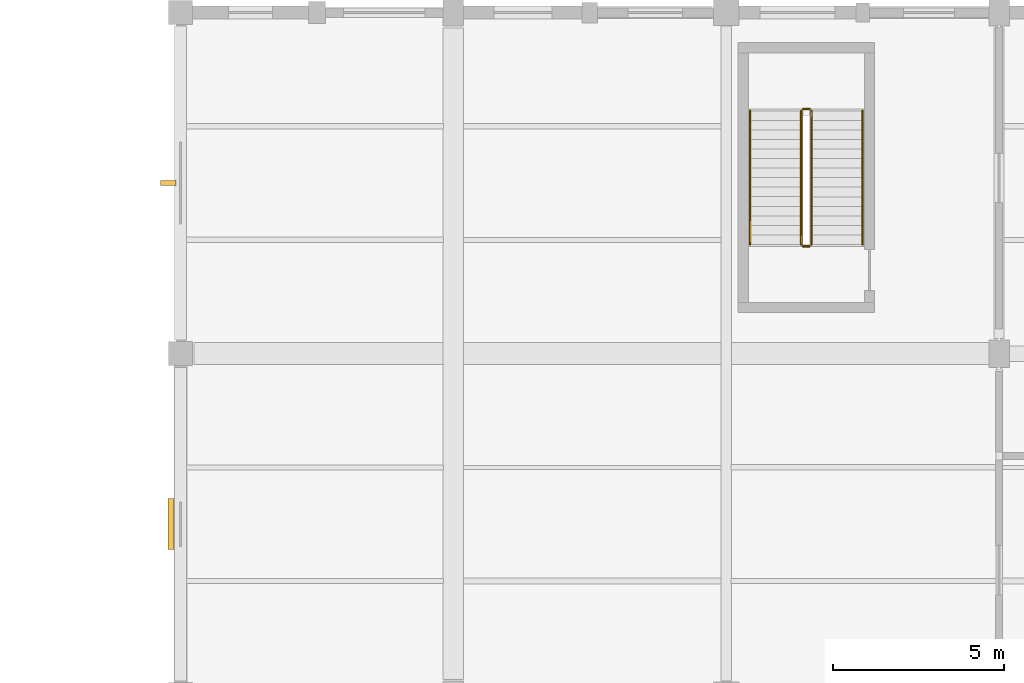
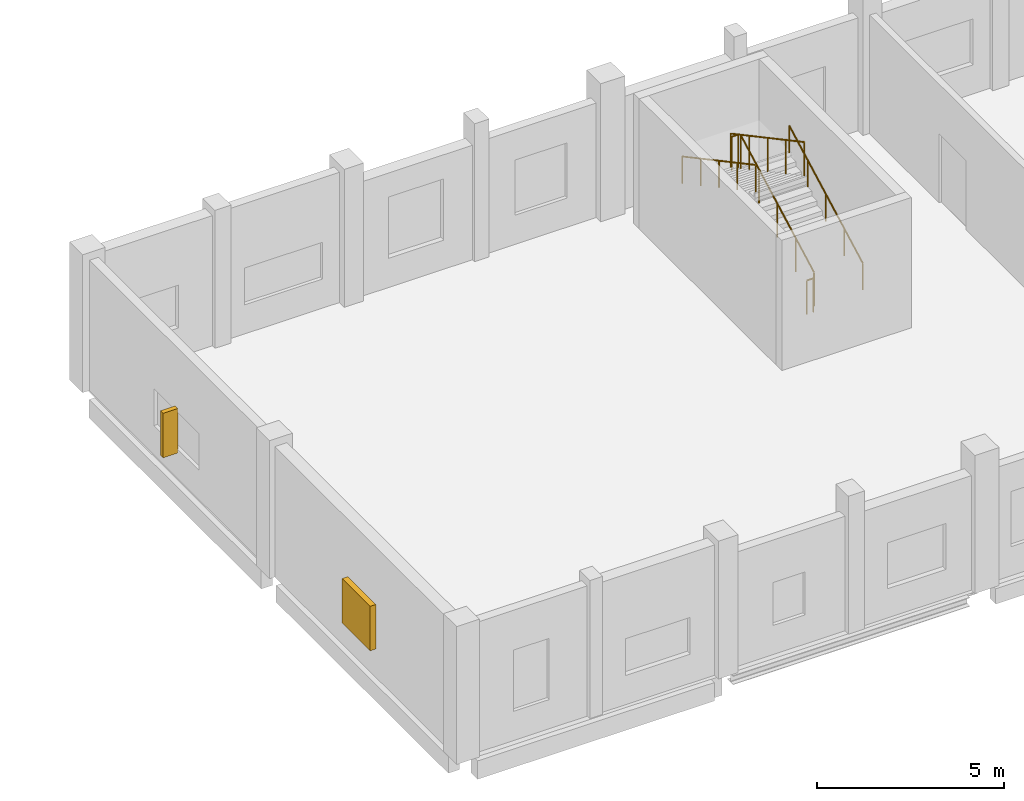
# One storey, part 177 of 183: 6 railings, 2 shading devices.
"""IFC4 building model written with IfcOpenShell, lengths in metres."""

from ifc_helpers import new_model, si_unit, direction, frame, origin, origin_2d, place, context, subcontext, project, spatial, rectangle, circle, extrude, material, type_object, element, save


model = new_model("IFC4")

# Units and contexts
model_context = context("Model", 3, precision=1e-05, world=origin(), true_north=direction((0.0, 1.0)))
body_context = subcontext(model_context, "Body", "Model", "MODEL_VIEW")
ifc_project = project(units=[si_unit("LENGTHUNIT", "METRE"), si_unit("AREAUNIT", "SQUARE_METRE"), si_unit("VOLUMEUNIT", "CUBIC_METRE"), si_unit("PLANEANGLEUNIT", "RADIAN"), si_unit("MASSUNIT", "GRAM", prefix="KILO")], contexts=[model_context])

# Site, building, storey
site_placement = place(None, origin())
site = spatial("IfcSite", under=ifc_project, at=site_placement, CompositionType="ELEMENT")
building_placement = place(site_placement, origin())
building = spatial("IfcBuilding", under=site, at=building_placement, Name="Luwemba Playhouse", CompositionType="ELEMENT")
storey_placement = place(building_placement, frame((0.0, 0.0, 4.800048828125)))
storey = spatial("IfcBuildingStorey", under=building, at=storey_placement, Name="L01", CompositionType="ELEMENT", Elevation=4.800048828125)

# Railings
ifc_material_1 = material(Name="Painted wrought-iron gallery balustrade", Category="steel")
railing_type_1 = type_object("IfcRailingType", Name="RLG-BAL-INT", PredefinedType="BALUSTRADE", material=ifc_material_1)
railing_1_placement = place(storey_placement, frame((126.5, 108.199951171875, 0.14990234375)))
element("IfcRailing", 1, at=railing_1_placement, inside=storey, type_object=railing_type_1, Name="L01 ST-16 stair guard 1", PredefinedType="BALUSTRADE", context=body_context, shape_type="SweptSolid", body=[
    extrude(circle(Radius=0.02392578125, at=origin_2d()), frame((0.0, 0.0, 1.09619140625), z_axis=(0.0, 0.881479153919, 0.472222935917), x_axis=(-1.0, 0.0, 0.0)), (0.0, 0.0, 1.0), 4.447265625),
    extrude(circle(Radius=0.02099609375, at=origin_2d()), origin(), (0.0, 0.0, 1.0), 1.072021484375),
    extrude(circle(Radius=0.02099609375, at=origin_2d()), frame((0.0, 0.97998046875, 0.52490234375)), (0.0, 0.0, 1.0), 1.072021484375),
    extrude(circle(Radius=0.02099609375, at=origin_2d()), frame((0.0, 1.9599609375, 1.050048828125)), (0.0, 0.0, 1.0), 1.072021484375),
    extrude(circle(Radius=0.02099609375, at=origin_2d()), frame((0.0, 2.940185546875, 1.5751953125)), (0.0, 0.0, 1.0), 1.072021484375),
    extrude(circle(Radius=0.02099609375, at=origin_2d()), frame((0.0, 3.920166015625, 2.10009765625)), (0.0, 0.0, 1.0), 1.072021484375),
])
railing_2_placement = place(storey_placement, frame((126.449951171875, 112.169921875, 2.25)))
element("IfcRailing", 2, at=railing_2_placement, inside=storey, type_object=railing_type_1, Name="L01 ST-16 stair guard 2", PredefinedType="BALUSTRADE", context=body_context, shape_type="SweptSolid", body=[
    extrude(circle(Radius=0.02392578125, at=origin_2d()), frame((0.0, 0.0, 1.09619140625), z_axis=(-1.0, 0.0, 0.0), x_axis=(0.0, -1.0, 0.0)), (0.0, 0.0, 1.0), 0.199951171875),
    extrude(circle(Radius=0.02099609375, at=origin_2d()), origin(), (0.0, 0.0, 1.0), 1.072021484375),
    extrude(circle(Radius=0.02099609375, at=origin_2d()), frame((-0.199951171875, 0.0, 0.0)), (0.0, 0.0, 1.0), 1.072021484375),
])
railing_3_placement = place(storey_placement, frame((126.199951171875, 112.1201171875, 2.39990234375)))
element("IfcRailing", 3, at=railing_3_placement, inside=storey, type_object=railing_type_1, Name="L01 ST-16 stair guard 3", PredefinedType="BALUSTRADE", context=body_context, shape_type="SweptSolid", body=[
    extrude(circle(Radius=0.02392578125, at=origin_2d()), frame((0.0, 0.0, 1.09619140625), z_axis=(0.0, -0.881479153919, 0.472222935917), x_axis=(1.0, 0.0, 0.0)), (0.0, 0.0, 1.0), 4.447265625),
    extrude(circle(Radius=0.02099609375, at=origin_2d()), origin(), (0.0, 0.0, 1.0), 1.072021484375),
    extrude(circle(Radius=0.02099609375, at=origin_2d()), frame((0.0, -0.97998046875, 0.52490234375)), (0.0, 0.0, 1.0), 1.072021484375),
    extrude(circle(Radius=0.02099609375, at=origin_2d()), frame((0.0, -1.9599609375, 1.050048828125)), (0.0, 0.0, 1.0), 1.072021484375),
    extrude(circle(Radius=0.02099609375, at=origin_2d()), frame((0.0, -2.940185546875, 1.5751953125)), (0.0, 0.0, 1.0), 1.072021484375),
    extrude(circle(Radius=0.02099609375, at=origin_2d()), frame((0.0, -3.920166015625, 2.10009765625)), (0.0, 0.0, 1.0), 1.072021484375),
])
railing_4_placement = place(storey_placement, frame((126.449951171875, 108.14990234375, 0.0)))
element("IfcRailing", 4, at=railing_4_placement, inside=storey, type_object=railing_type_1, Name="L01 ST-16 stair guard 4", PredefinedType="BALUSTRADE", context=body_context, shape_type="SweptSolid", body=[
    extrude(circle(Radius=0.02392578125, at=origin_2d()), frame((0.0, 0.0, 1.09619140625), z_axis=(-1.0, 0.0, 0.0), x_axis=(0.0, -1.0, 0.0)), (0.0, 0.0, 1.0), 0.199951171875),
    extrude(circle(Radius=0.02099609375, at=origin_2d()), origin(), (0.0, 0.0, 1.0), 1.072021484375),
    extrude(circle(Radius=0.02099609375, at=origin_2d()), frame((-0.199951171875, 0.0, 0.0)), (0.0, 0.0, 1.0), 1.072021484375),
])
ifc_material_2 = material(Name="Hardwood and bronze handrail", Category="wood")
railing_type_2 = type_object("IfcRailingType", Name="RLG-HR-INT", PredefinedType="HANDRAIL", material=ifc_material_2)
railing_5_placement = place(storey_placement, frame((128.0, 108.199951171875, 0.14990234375)))
element("IfcRailing", 5, at=railing_5_placement, inside=storey, type_object=railing_type_2, Name="L01 ST-16 stair handrail 1", PredefinedType="HANDRAIL", context=body_context, shape_type="SweptSolid", body=[
    extrude(circle(Radius=0.02392578125, at=origin_2d()), frame((0.0, 0.0, 0.8759765625), z_axis=(0.0, 0.881479153919, 0.472222935917), x_axis=(-1.0, 0.0, 0.0)), (0.0, 0.0, 1.0), 4.447265625),
    extrude(circle(Radius=0.02099609375, at=origin_2d()), origin(), (0.0, 0.0, 1.0), 0.851806640625),
    extrude(circle(Radius=0.02099609375, at=origin_2d()), frame((0.0, 0.97998046875, 0.52490234375)), (0.0, 0.0, 1.0), 0.851806640625),
    extrude(circle(Radius=0.02099609375, at=origin_2d()), frame((0.0, 1.9599609375, 1.050048828125)), (0.0, 0.0, 1.0), 0.851806640625),
    extrude(circle(Radius=0.02099609375, at=origin_2d()), frame((0.0, 2.940185546875, 1.5751953125)), (0.0, 0.0, 1.0), 0.851806640625),
    extrude(circle(Radius=0.02099609375, at=origin_2d()), frame((0.0, 3.920166015625, 2.10009765625)), (0.0, 0.0, 1.0), 0.851806640625),
])
railing_6_placement = place(storey_placement, frame((124.699951171875, 112.1201171875, 2.39990234375)))
element("IfcRailing", 6, at=railing_6_placement, inside=storey, type_object=railing_type_2, Name="L01 ST-16 stair handrail 2", PredefinedType="HANDRAIL", context=body_context, shape_type="SweptSolid", body=[
    extrude(circle(Radius=0.02392578125, at=origin_2d()), frame((0.0, 0.0, 0.8759765625), z_axis=(0.0, -0.881479153919, 0.472222935917), x_axis=(1.0, 0.0, 0.0)), (0.0, 0.0, 1.0), 4.447265625),
    extrude(circle(Radius=0.02099609375, at=origin_2d()), origin(), (0.0, 0.0, 1.0), 0.851806640625),
    extrude(circle(Radius=0.02099609375, at=origin_2d()), frame((0.0, -0.97998046875, 0.52490234375)), (0.0, 0.0, 1.0), 0.851806640625),
    extrude(circle(Radius=0.02099609375, at=origin_2d()), frame((0.0, -1.9599609375, 1.050048828125)), (0.0, 0.0, 1.0), 0.851806640625),
    extrude(circle(Radius=0.02099609375, at=origin_2d()), frame((0.0, -2.940185546875, 1.5751953125)), (0.0, 0.0, 1.0), 0.851806640625),
    extrude(circle(Radius=0.02099609375, at=origin_2d()), frame((0.0, -3.920166015625, 2.10009765625)), (0.0, 0.0, 1.0), 0.851806640625),
])

# Shading devices
ifc_material_3 = material(Name="Extruded terracotta brise-soleil fin on steel bracket", Category="masonry")
shading_device_type_1 = type_object("IfcShadingDeviceType", Name="SHD-BRISE", PredefinedType="USERDEFINED", material=ifc_material_3)
shading_device_1_placement = place(storey_placement, frame((107.639892578125, 110.0, 0.8251953125), z_axis=(0.0, 0.0, 1.0), x_axis=(0.0, 1.0, 0.0)))
element("IfcShadingDevice", 7, at=shading_device_1_placement, inside=storey, type_object=shading_device_type_1, Name="L01 terracotta brise-soleil fin 035", ObjectType="TERRACOTTA BRISE SOLEIL", PredefinedType="USERDEFINED", context=body_context, shape_type="SweptSolid", body=[
    extrude(rectangle(XDim=0.139892578125, YDim=0.449951171875, at=origin_2d()), origin(), (0.0, 0.0, 1.0), 1.449951171875),
])
ifc_material_4 = material(Name="Kiln-fired terracotta gelosia louvre screen", Category="masonry")
shading_device_type_2 = type_object("IfcShadingDeviceType", Name="SHD-GELOSIA", PredefinedType="JALOUSIE", material=ifc_material_4)
shading_device_2_placement = place(storey_placement, frame((107.72509765625, 100.0, 0.9248046875), z_axis=(0.0, 0.0, 1.0), x_axis=(0.0, 1.0, 0.0)))
element("IfcShadingDevice", 8, at=shading_device_2_placement, inside=storey, type_object=shading_device_type_2, Name="L01 fired-clay gelosia screen 034", PredefinedType="JALOUSIE", context=body_context, shape_type="SweptSolid", body=[
    extrude(rectangle(XDim=1.5, YDim=0.179931640625, at=origin_2d()), origin(), (0.0, 0.0, 1.0), 1.449951171875),
])

save(model, "model.ifc")
